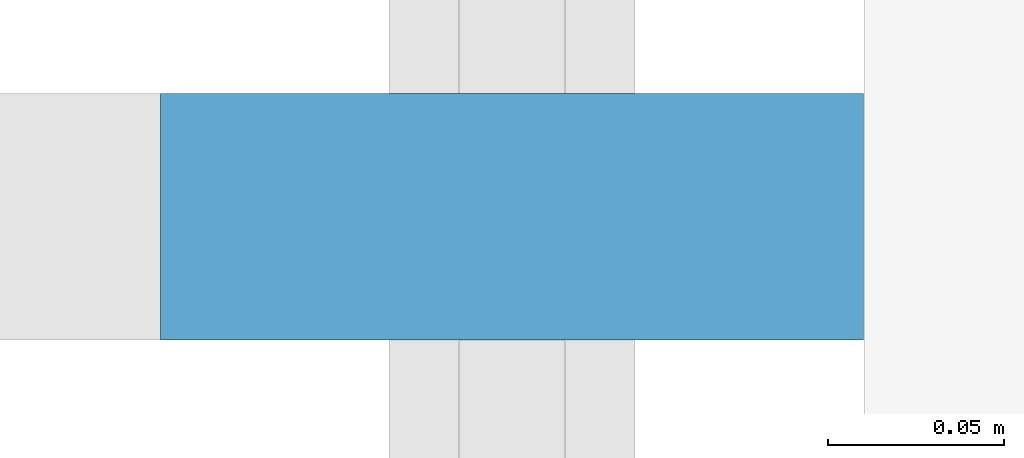
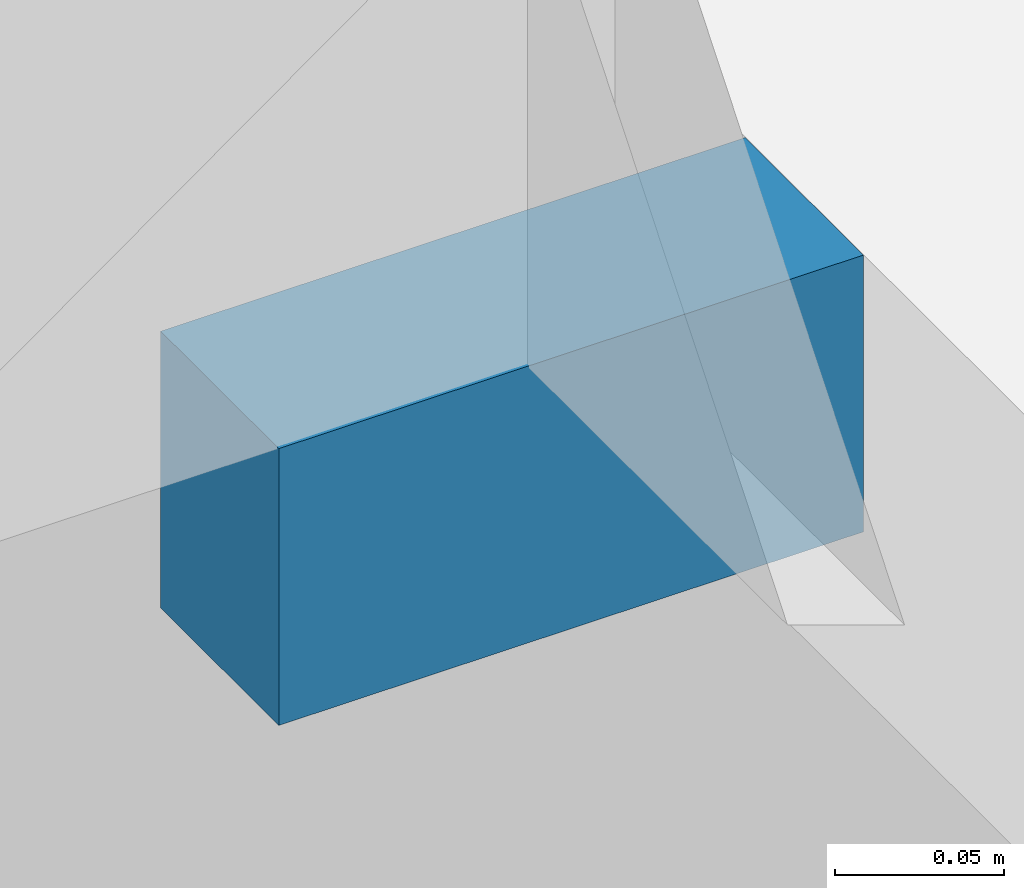
# One storey, part 13 of 17: 1 discrete accessory.
"""IFC4 building model written with IfcOpenShell, lengths in metres."""

from ifc_helpers import new_model, si_unit, direction, frame, origin, origin_2d, place, context, subcontext, project, spatial, rectangle, extrude, element, save


model = new_model("IFC4")

# Units and contexts
model_context = context("Model", 3, precision=1e-05, world=origin(), true_north=direction((0.0, 1.0)))
body_context = subcontext(model_context, "Body", "Model", "MODEL_VIEW")
ifc_project = project(units=[si_unit("LENGTHUNIT", "METRE"), si_unit("AREAUNIT", "SQUARE_METRE"), si_unit("VOLUMEUNIT", "CUBIC_METRE"), si_unit("PLANEANGLEUNIT", "RADIAN"), si_unit("MASSUNIT", "GRAM", prefix="KILO")], contexts=[model_context])

# Site, building, storey
site_placement = place(None, origin())
site = spatial("IfcSite", under=ifc_project, at=site_placement, CompositionType="ELEMENT")
building_placement = place(site_placement, origin())
building = spatial("IfcBuilding", under=site, at=building_placement, Name="Daluyong Arena Tower", CompositionType="ELEMENT")
storey_placement = place(building_placement, frame((0.0, 0.0, 223.300048828125)))
storey = spatial("IfcBuildingStorey", under=building, at=storey_placement, Name="L50", CompositionType="ELEMENT", Elevation=223.300048828125)

# Discrete accessory
discrete_accessory_placement = place(storey_placement, frame((34.25, 87.386474609375, -0.10009765625), z_axis=(0.0, 0.0, 1.0), x_axis=(0.0, -1.0, 0.0)))
element("IfcDiscreteAccessory", 1, at=discrete_accessory_placement, inside=storey, Name="curtain wall L50 W anchor bracket 4", PredefinedType="BRACKET", context=body_context, shape_type="SweptSolid", body=[
    extrude(rectangle(XDim=0.070068359375, YDim=0.199951171875, at=origin_2d()), origin(), (0.0, 0.0, 1.0), 0.10009765625),
])

save(model, "model.ifc")
